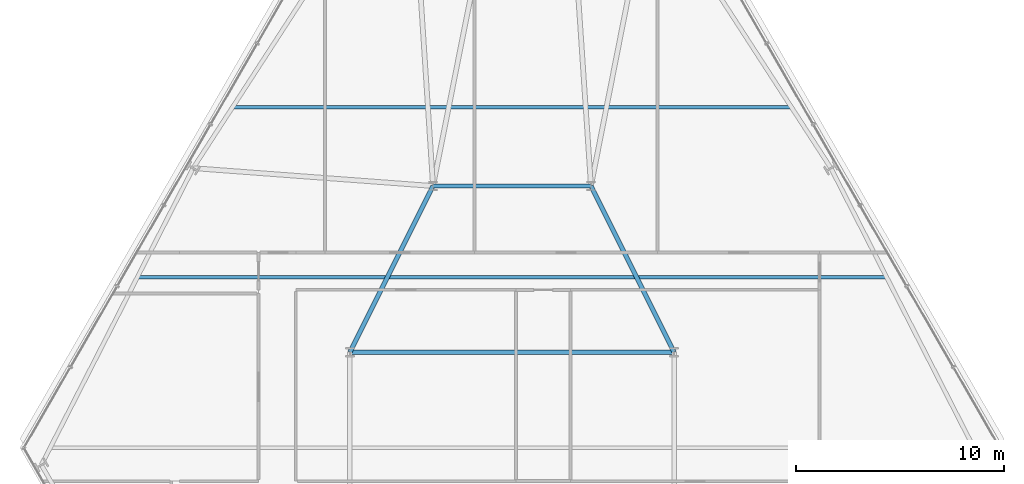
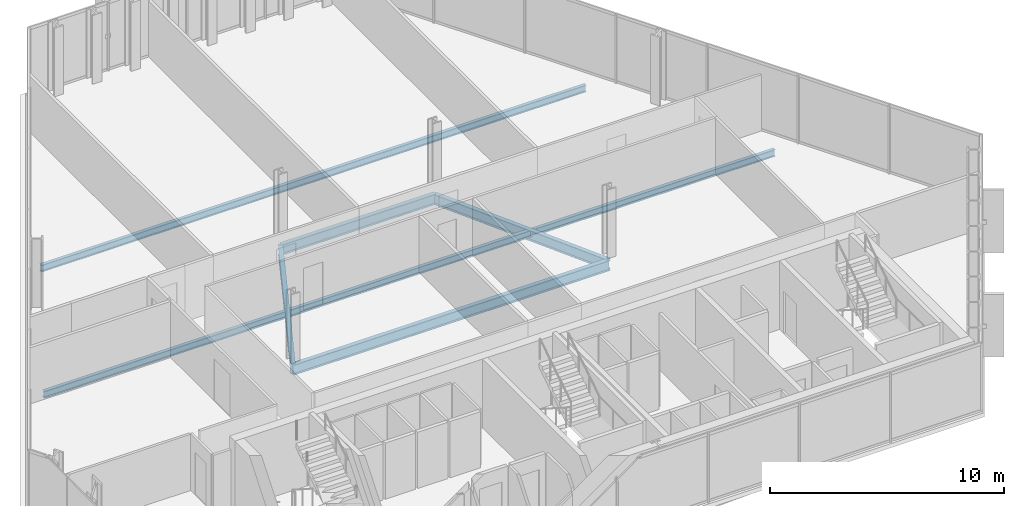
# One storey, part 14 of 32: 6 beams.
"""IFC4 building model written with IfcOpenShell, lengths in metres."""

from ifc_helpers import new_model, si_unit, direction, frame, origin, origin_2d, place, context, subcontext, project, spatial, i_section, extrude, material, material_profile, profile_set, type_object, element, save


model = new_model("IFC4")

# Units and contexts
model_context = context("Model", 3, precision=1e-05, world=origin(), true_north=direction((0.0, 1.0)))
body_context = subcontext(model_context, "Body", "Model", "MODEL_VIEW")
ifc_project = project(units=[si_unit("LENGTHUNIT", "METRE"), si_unit("AREAUNIT", "SQUARE_METRE"), si_unit("VOLUMEUNIT", "CUBIC_METRE"), si_unit("PLANEANGLEUNIT", "RADIAN"), si_unit("MASSUNIT", "GRAM", prefix="KILO")], contexts=[model_context])

# Site, building, storey
site_placement = place(None, origin())
site = spatial("IfcSite", under=ifc_project, at=site_placement, CompositionType="ELEMENT")
building_placement = place(site_placement, origin())
building = spatial("IfcBuilding", under=site, at=building_placement, Name="Ndaravel Arena Tower", CompositionType="ELEMENT")
storey_placement = place(building_placement, frame((0.0, 0.0, 58.800048828125)))
storey = spatial("IfcBuildingStorey", under=building, at=storey_placement, Name="L12", CompositionType="ELEMENT", Elevation=58.800048828125)

# Beams
ifc_material_1 = material(Name="Steel S355", Category="steel")
ifc_material_profile_1 = material_profile(ifc_material_1, i_section(OverallWidth=0.210693359375, OverallDepth=0.53955078125, WebThickness=0.01171875, FlangeThickness=0.018798828125, FilletRadius=0.0126953125, at=origin_2d()), Name="UB 533x210x109")
ifc_profile_set_1 = profile_set([ifc_material_profile_1], Name="Steel S355")
beam_type_1 = type_object("IfcBeamType", Name="BM-GIRD-UB533", PredefinedType="BEAM", material=ifc_profile_set_1)
beam_1_placement = place(storey_placement, frame((34.199951171875, 23.199951171875, -0.48974609375), z_axis=(1.0, 0.0, 0.0), x_axis=(0.0, 1.0, 0.0)))
element("IfcBeam", 1, at=beam_1_placement, inside=storey, type_object=beam_type_1, Name="L12 Spine Link Girder SLG-03", PredefinedType="BEAM", context=body_context, shape_type="SweptSolid", body=[
    extrude(i_section(OverallWidth=0.210693359375, OverallDepth=0.53955078125, WebThickness=0.01171875, FlangeThickness=0.018798828125, FilletRadius=0.0126953125, at=origin_2d()), origin(), (0.0, 0.0, 1.0), 15.60009765625),
])
for number, where, z_axis, x_axis, name in (
    (2, (34.199951171875, 23.199951171875, -0.48974609375), (0.4472135955, 0.894427191, 0.0), (-0.894427191, 0.4472135955, 0.0), "L12 Spine Link Girder SLG-04"),
    (3, (49.800048828125, 23.199951171875, -0.48974609375), (-0.4472135955, 0.894427191, 0.0), (-0.894427191, -0.4472135955, 0.0), "L12 Spine Link Girder SLG-05"),
):
    element("IfcBeam", number, at=place(storey_placement, frame(where, z_axis=z_axis, x_axis=x_axis)), inside=storey, type_object=beam_type_1, Name=name, PredefinedType="BEAM", context=body_context, shape_type="SweptSolid", body=[
        extrude(i_section(OverallWidth=0.210693359375, OverallDepth=0.53955078125, WebThickness=0.01171875, FlangeThickness=0.018798828125, FilletRadius=0.0126953125, at=origin_2d()), origin(), (0.0, 0.0, 1.0), 8.9443359375),
    ])
beam_2_placement = place(storey_placement, frame((38.199951171875, 31.199951171875, -0.48974609375), z_axis=(1.0, 0.0, 0.0), x_axis=(0.0, 1.0, 0.0)))
element("IfcBeam", 4, at=beam_2_placement, inside=storey, type_object=beam_type_1, Name="L12 Spine Link Girder SLG-06", PredefinedType="BEAM", context=body_context, shape_type="SweptSolid", body=[
    extrude(i_section(OverallWidth=0.210693359375, OverallDepth=0.53955078125, WebThickness=0.01171875, FlangeThickness=0.018798828125, FilletRadius=0.0126953125, at=origin_2d()), origin(), (0.0, 0.0, 1.0), 7.60009765625),
])
ifc_material_2 = material(Name="Steel S355", Category="steel")
ifc_material_profile_2 = material_profile(ifc_material_2, i_section(OverallWidth=0.169921875, OverallDepth=0.360107421875, WebThickness=0.008056640625, FlangeThickness=0.0126953125, FilletRadius=0.01806640625, at=origin_2d()), Name="IPE 360")
ifc_profile_set_2 = profile_set([ifc_material_profile_2], Name="Steel S355")
beam_type_2 = type_object("IfcBeamType", Name="BM-JOIST-IPE360", PredefinedType="JOIST", material=ifc_profile_set_2)
beam_3_placement = place(storey_placement, frame((23.964599609375, 26.800048828125, -0.400146484375), z_axis=(1.0, 0.0, 0.0), x_axis=(0.0, 1.0, 0.0)))
element("IfcBeam", 5, at=beam_3_placement, inside=storey, type_object=beam_type_2, Name="L12 Composite Floor Joist FJ-02", PredefinedType="JOIST", context=body_context, shape_type="SweptSolid", body=[
    extrude(i_section(OverallWidth=0.169921875, OverallDepth=0.360107421875, WebThickness=0.008056640625, FlangeThickness=0.0126953125, FilletRadius=0.01806640625, at=origin_2d()), origin(), (0.0, 0.0, 1.0), 36.07080078125),
])
beam_4_placement = place(storey_placement, frame((28.556884765625, 35.0, -0.400146484375), z_axis=(1.0, 0.0, 0.0), x_axis=(0.0, 1.0, 0.0)))
element("IfcBeam", 6, at=beam_4_placement, inside=storey, type_object=beam_type_2, Name="L12 Composite Floor Joist FJ-03", PredefinedType="JOIST", context=body_context, shape_type="SweptSolid", body=[
    extrude(i_section(OverallWidth=0.169921875, OverallDepth=0.360107421875, WebThickness=0.008056640625, FlangeThickness=0.0126953125, FilletRadius=0.01806640625, at=origin_2d()), origin(), (0.0, 0.0, 1.0), 26.88623046875),
])

save(model, "model.ifc")
